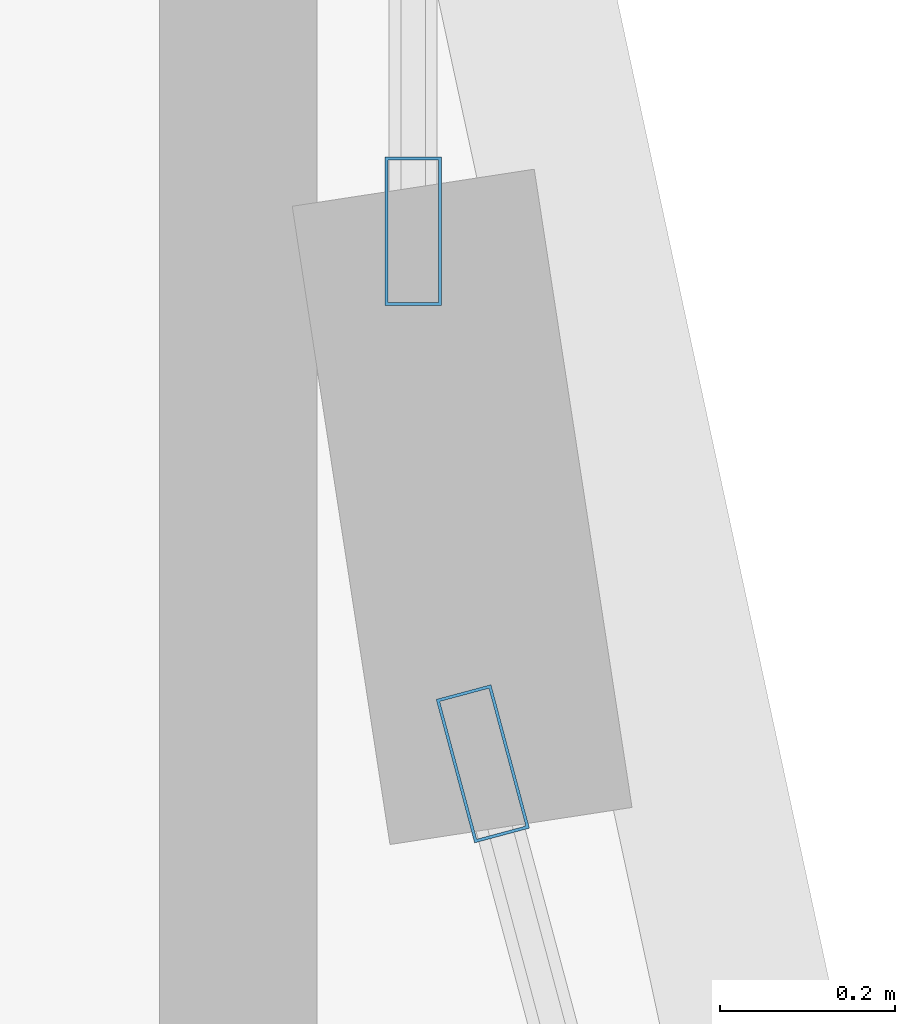
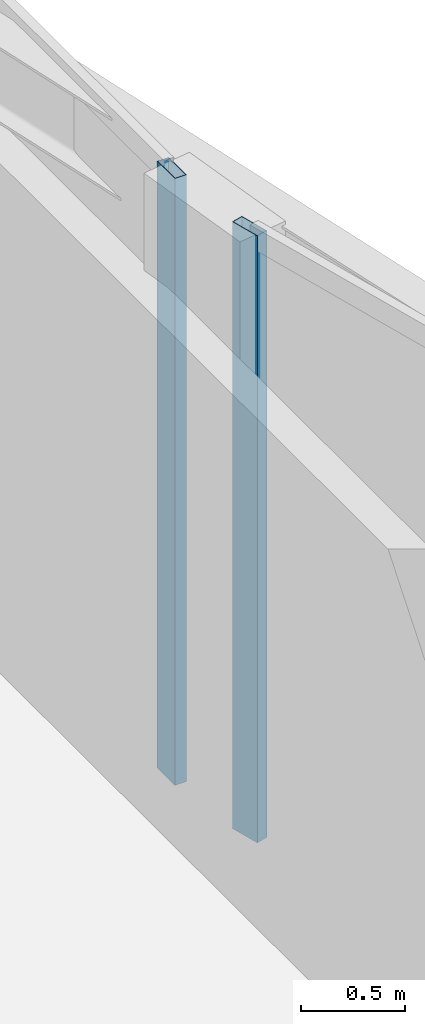
# One storey, part 19 of 29: 2 members, 2 elements without a shape of their own.
"""IFC4 building model written with IfcOpenShell, lengths in metres."""

from ifc_helpers import new_model, si_unit, direction, frame, origin, origin_2d, place, context, subcontext, project, spatial, hollow_rectangle, extrude, material, layer, layer_set, material_profile, profile_set, type_object, element, aggregate, save


model = new_model("IFC4")

# Units and contexts
model_context = context("Model", 3, precision=1e-05, world=origin(), true_north=direction((0.0, 1.0)))
body_context = subcontext(model_context, "Body", "Model", "MODEL_VIEW")
ifc_project = project(units=[si_unit("LENGTHUNIT", "METRE"), si_unit("AREAUNIT", "SQUARE_METRE"), si_unit("VOLUMEUNIT", "CUBIC_METRE"), si_unit("PLANEANGLEUNIT", "RADIAN"), si_unit("MASSUNIT", "GRAM", prefix="KILO")], contexts=[model_context])

# Site, building, storey
site_placement = place(None, origin())
site = spatial("IfcSite", under=ifc_project, at=site_placement, CompositionType="ELEMENT")
building_placement = place(site_placement, origin())
building = spatial("IfcBuilding", under=site, at=building_placement, Name="Calvorn Quay Hotel", CompositionType="ELEMENT")
storey_placement = place(building_placement, frame((0.0, 0.0, 255.199951171875)))
storey = spatial("IfcBuildingStorey", under=building, at=storey_placement, Name="L63", CompositionType="ELEMENT", Elevation=255.199951171875)

# Curtain wall, member
ifc_material_1 = material(Name="Champagne Bronze Anodised Aluminium and Low-E Glass", Category="aluminium")
ifc_layer = layer(ifc_material_1, 0.219970703125)
ifc_layer_set = layer_set([ifc_layer], Name="CW-SYS-Z4")
curtain_wall_type = type_object("IfcCurtainWallType", Name="CW-SYS-Z4", PredefinedType="NOTDEFINED", material=ifc_layer_set)
curtain_wall_1_placement = place(storey_placement, origin())
curtain_wall_1 = element("IfcCurtainWall", 1, at=curtain_wall_1_placement, inside=storey, type_object=curtain_wall_type, Name="Inner Court Curtain Wall L63-IC1", PredefinedType="NOTDEFINED")
ifc_material_2 = material(Name="Champagne Bronze Anodised Aluminium 6063-T6", Category="aluminium")
ifc_material_profile = material_profile(ifc_material_2, hollow_rectangle(XDim=0.06494140625, YDim=0.169921875, WallThickness=0.00341796875, at=origin_2d()), Name="ALU-M170x65x3.5")
ifc_profile_set = profile_set([ifc_material_profile], Name="Champagne Bronze Anodised Aluminium 6063-T6")
member_type = type_object("IfcMemberType", Name="CW-SYS-Z4-MUL", PredefinedType="MULLION", material=ifc_profile_set)
member_1_placement = place(storey_placement, frame((17.9296875, 38.10107421875, 0.0), z_axis=(0.0, 0.0, 1.0), x_axis=(-0.96593652056, -0.25877913024, 0.0)))
member_1 = element("IfcMember", 2, at=member_1_placement, type_object=member_type, Name="CW-L63-IC1 mullion 2", PredefinedType="MULLION", context=body_context, shape_type="SweptSolid", body=[
    extrude(hollow_rectangle(XDim=0.06494140625, YDim=0.169921875, WallThickness=0.00341796875, at=origin_2d()), origin(), (0.0, 0.0, 1.0), 3.56005859375),
])
aggregate(curtain_wall_1, [member_1])

curtain_wall_2_placement = place(storey_placement, origin())
curtain_wall_2 = element("IfcCurtainWall", 3, at=curtain_wall_2_placement, inside=storey, type_object=curtain_wall_type, Name="Inner Court Curtain Wall L63-IC2", PredefinedType="NOTDEFINED")
member_2_placement = place(storey_placement, frame((17.85009765625, 38.7099609375, 0.0), z_axis=(0.0, 0.0, 1.0), x_axis=(-1.0, 0.0, 0.0)))
member_2 = element("IfcMember", 4, at=member_2_placement, type_object=member_type, Name="CW-L63-IC2 mullion 1", PredefinedType="MULLION", context=body_context, shape_type="SweptSolid", body=[
    extrude(hollow_rectangle(XDim=0.06494140625, YDim=0.169921875, WallThickness=0.00341796875, at=origin_2d()), origin(), (0.0, 0.0, 1.0), 3.56005859375),
])
aggregate(curtain_wall_2, [member_2])

save(model, "model.ifc")
